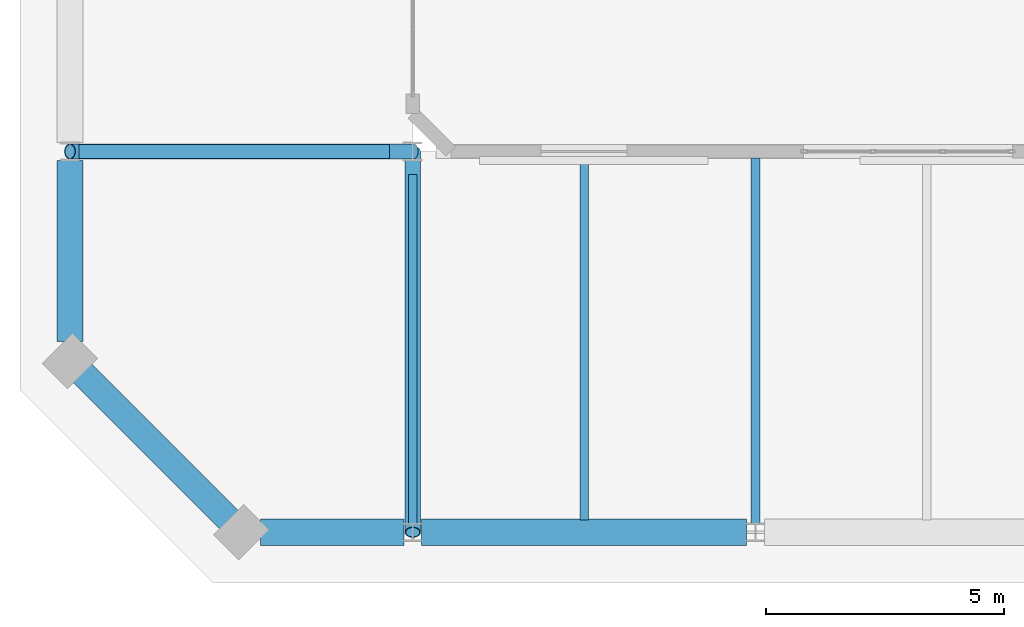
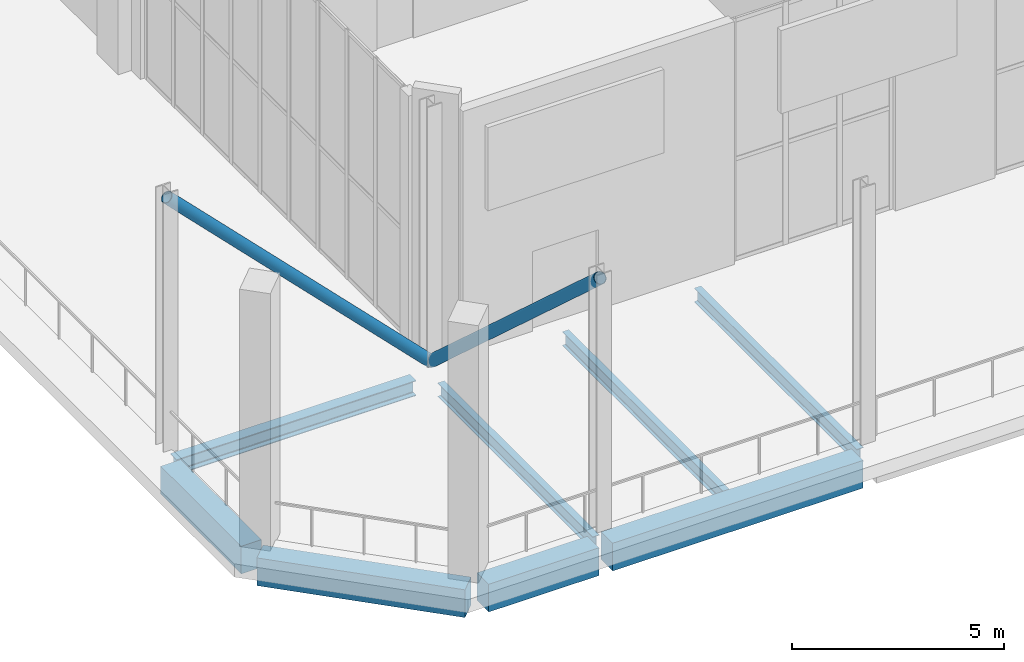
# One storey, part 4 of 23: 8 beams, 2 members.
"""IFC4 building model written with IfcOpenShell, lengths in metres."""

from ifc_helpers import new_model, si_unit, direction, frame, origin, origin_2d, place, context, subcontext, project, spatial, rectangle, hollow_circle, i_section, extrude, material, material_profile, profile_set, type_object, element, save


model = new_model("IFC4")

# Units and contexts
model_context = context("Model", 3, precision=1e-05, world=origin(), true_north=direction((0.0, 1.0)))
body_context = subcontext(model_context, "Body", "Model", "MODEL_VIEW")
ifc_project = project(units=[si_unit("LENGTHUNIT", "METRE"), si_unit("AREAUNIT", "SQUARE_METRE"), si_unit("VOLUMEUNIT", "CUBIC_METRE"), si_unit("PLANEANGLEUNIT", "RADIAN"), si_unit("MASSUNIT", "GRAM", prefix="KILO")], contexts=[model_context])

# Site, building, storey
site_placement = place(None, origin())
site = spatial("IfcSite", under=ifc_project, at=site_placement, CompositionType="ELEMENT")
building_placement = place(site_placement, origin())
building = spatial("IfcBuilding", under=site, at=building_placement, Name="Kaelvorn Grand Hotel", CompositionType="ELEMENT")
storey_placement = place(building_placement, frame((0.0, 0.0, 310.699951171875)))
storey = spatial("IfcBuildingStorey", under=building, at=storey_placement, Name="L75", CompositionType="ELEMENT", Elevation=310.699951171875)

# Beams
ifc_material_1 = material(Name="Steel S355", Category="steel")
ifc_material_profile_1 = material_profile(ifc_material_1, i_section(OverallWidth=0.300048828125, OverallDepth=0.43994140625, WebThickness=0.011474609375, FlangeThickness=0.02099609375, FilletRadius=0.027099609375, at=origin_2d()), Name="HEA 450")
ifc_profile_set_1 = profile_set([ifc_material_profile_1], Name="Steel S355")
beam_type_1 = type_object("IfcBeamType", Name="BM-G-HEA450-S355", PredefinedType="BEAM", material=ifc_profile_set_1)
beam_1_placement = place(storey_placement, frame((9.18505859375, 15.0, -0.52001953125), z_axis=(1.0, 0.0, 0.0), x_axis=(0.0, 1.0, 0.0)))
element("IfcBeam", 1, at=beam_1_placement, inside=storey, type_object=beam_type_1, Name="L75 Primary Spine Steel Girder G-15 01", PredefinedType="BEAM", context=body_context, shape_type="SweptSolid", body=[
    extrude(i_section(OverallWidth=0.300048828125, OverallDepth=0.43994140625, WebThickness=0.011474609375, FlangeThickness=0.02099609375, FilletRadius=0.027099609375, at=origin_2d()), origin(), (0.0, 0.0, 1.0), 6.530029296875),
])
ifc_material_profile_2 = material_profile(ifc_material_1, i_section(OverallWidth=0.179931640625, OverallDepth=0.39990234375, WebThickness=0.008544921875, FlangeThickness=0.013427734375, FilletRadius=0.02099609375, at=origin_2d()), Name="IPE 400")
ifc_profile_set_2 = profile_set([ifc_material_profile_2], Name="Steel S355")
beam_type_2 = type_object("IfcBeamType", Name="BM-J-IPE400-S355", PredefinedType="JOIST", material=ifc_profile_set_2)
beam_2_placement = place(storey_placement, frame((16.199951171875, 7.18505859375, -0.5), z_axis=(0.0, 1.0, 0.0), x_axis=(-1.0, 0.0, 0.0)))
element("IfcBeam", 2, at=beam_2_placement, inside=storey, type_object=beam_type_2, Name="L75 Composite Floor Joist JS-05", PredefinedType="JOIST", context=body_context, shape_type="SweptSolid", body=[
    extrude(i_section(OverallWidth=0.179931640625, OverallDepth=0.39990234375, WebThickness=0.008544921875, FlangeThickness=0.013427734375, FilletRadius=0.02099609375, at=origin_2d()), origin(), (0.0, 0.0, 1.0), 7.329833984375),
])
beam_3_placement = place(storey_placement, frame((19.800048828125, 7.260009765625, -0.5), z_axis=(0.0, 1.0, 0.0), x_axis=(-1.0, 0.0, 0.0)))
element("IfcBeam", 3, at=beam_3_placement, inside=storey, type_object=beam_type_2, Name="L75 Composite Floor Joist JS-06", PredefinedType="JOIST", context=body_context, shape_type="SweptSolid", body=[
    extrude(i_section(OverallWidth=0.179931640625, OverallDepth=0.39990234375, WebThickness=0.008544921875, FlangeThickness=0.013427734375, FilletRadius=0.02099609375, at=origin_2d()), origin(), (0.0, 0.0, 1.0), 7.60498046875),
])
beam_4_placement = place(storey_placement, frame((23.39990234375, 7.18505859375, -0.5), z_axis=(0.0, 1.0, 0.0), x_axis=(-1.0, 0.0, 0.0)))
element("IfcBeam", 4, at=beam_4_placement, inside=storey, type_object=beam_type_2, Name="L75 Composite Floor Joist JS-07", PredefinedType="JOIST", context=body_context, shape_type="SweptSolid", body=[
    extrude(i_section(OverallWidth=0.179931640625, OverallDepth=0.39990234375, WebThickness=0.008544921875, FlangeThickness=0.013427734375, FilletRadius=0.02099609375, at=origin_2d()), origin(), (0.0, 0.0, 1.0), 7.679931640625),
])
ifc_material_2 = material(Name="Concrete C50/60", Category="concrete")
ifc_material_profile_3 = material_profile(ifc_material_2, rectangle(XDim=0.550048828125, YDim=0.800048828125, at=origin_2d()), Name="RC SPANDREL 550x800")
ifc_profile_set_3 = profile_set([ifc_material_profile_3], Name="Concrete C50/60")
beam_type_3 = type_object("IfcBeamType", Name="BM-SP-550x800-C50", PredefinedType="SPANDREL", material=ifc_profile_set_3)
beam_5_placement = place(storey_placement, frame((13.0048828125, 7.0, -0.699951171875), z_axis=(1.0, 0.0, 0.0), x_axis=(0.0, 1.0, 0.0)))
element("IfcBeam", 5, at=beam_5_placement, inside=storey, type_object=beam_type_3, Name="L75 South Perimeter Spandrel 01", PredefinedType="SPANDREL", context=body_context, shape_type="SweptSolid", body=[
    extrude(rectangle(XDim=0.550048828125, YDim=0.800048828125, at=origin_2d()), origin(), (0.0, 0.0, 1.0), 3.010009765625),
])
beam_6_placement = place(storey_placement, frame((16.385009765625, 7.0, -0.699951171875), z_axis=(1.0, 0.0, 0.0), x_axis=(0.0, 1.0, 0.0)))
element("IfcBeam", 6, at=beam_6_placement, inside=storey, type_object=beam_type_3, Name="L75 South Perimeter Spandrel 02", PredefinedType="SPANDREL", context=body_context, shape_type="SweptSolid", body=[
    extrude(rectangle(XDim=0.550048828125, YDim=0.800048828125, at=origin_2d()), origin(), (0.0, 0.0, 1.0), 6.830078125),
])
beam_7_placement = place(storey_placement, frame((9.0, 11.0048828125, -0.699951171875), z_axis=(0.0, 1.0, 0.0), x_axis=(-1.0, 0.0, 0.0)))
element("IfcBeam", 7, at=beam_7_placement, inside=storey, type_object=beam_type_3, Name="L75 West Perimeter Spandrel 01", PredefinedType="SPANDREL", context=body_context, shape_type="SweptSolid", body=[
    extrude(rectangle(XDim=0.550048828125, YDim=0.800048828125, at=origin_2d()), origin(), (0.0, 0.0, 1.0), 3.81005859375),
])
beam_8_placement = place(storey_placement, frame((9.0, 10.60009765625, -0.699951171875), z_axis=(0.707106781187, -0.707106781187, 0.0), x_axis=(0.707106781187, 0.707106781187, 0.0)))
element("IfcBeam", 8, at=beam_8_placement, inside=storey, type_object=beam_type_3, Name="L75 Chamfer Spandrel Beam 4", PredefinedType="SPANDREL", context=body_context, shape_type="SweptSolid", body=[
    extrude(rectangle(XDim=0.550048828125, YDim=0.800048828125, at=origin_2d()), origin(), (0.0, 0.0, 1.0), 5.09130859375),
])

# Members
ifc_material_profile_4 = material_profile(ifc_material_1, hollow_circle(Radius=0.161865234375, WallThickness=0.01611328125, at=origin_2d()), Name="CHS 323.9x16.0")
ifc_profile_set_4 = profile_set([ifc_material_profile_4], Name="Steel S355")
member_type = type_object("IfcMemberType", Name="MB-CAN-STRUT-CHS324", PredefinedType="STRUT", material=ifc_profile_set_4)
member_1_placement = place(storey_placement, frame((16.199951171875, 15.0, 0.0), z_axis=(0.0, -0.740986951436, 0.671519424739), x_axis=(1.0, 0.0, 0.0)))
element("IfcMember", 9, at=member_1_placement, inside=storey, type_object=member_type, Name="L75 Crown Parasol Canopy Raking Strut 1", PredefinedType="STRUT", context=body_context, shape_type="SweptSolid", body=[
    extrude(hollow_circle(Radius=0.161865234375, WallThickness=0.01611328125, at=origin_2d()), origin(), (0.0, 0.0, 1.0), 10.79638671875),
])
member_2_placement = place(storey_placement, frame((16.199951171875, 15.0, 0.0), z_axis=(-0.704653420573, 0.0, 0.70955165906), x_axis=(0.0, -1.0, 0.0)))
element("IfcMember", 10, at=member_2_placement, inside=storey, type_object=member_type, Name="L75 Crown Parasol Canopy Raking Strut 5", PredefinedType="STRUT", context=body_context, shape_type="SweptSolid", body=[
    extrude(hollow_circle(Radius=0.161865234375, WallThickness=0.01611328125, at=origin_2d()), origin(), (0.0, 0.0, 1.0), 10.2177734375),
])

save(model, "model.ifc")
